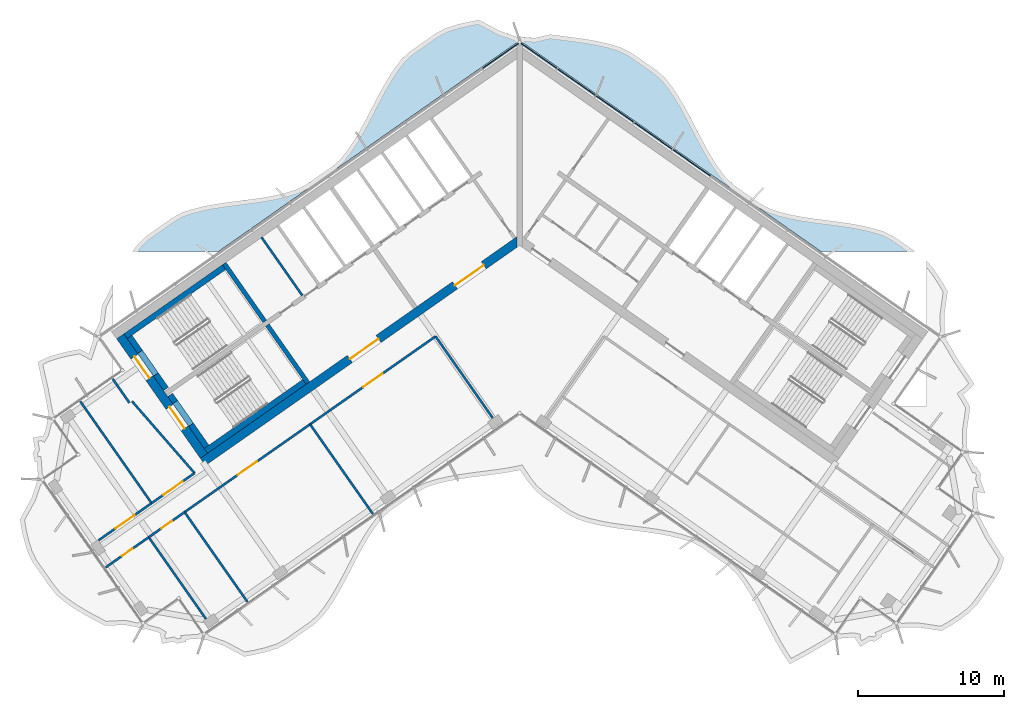
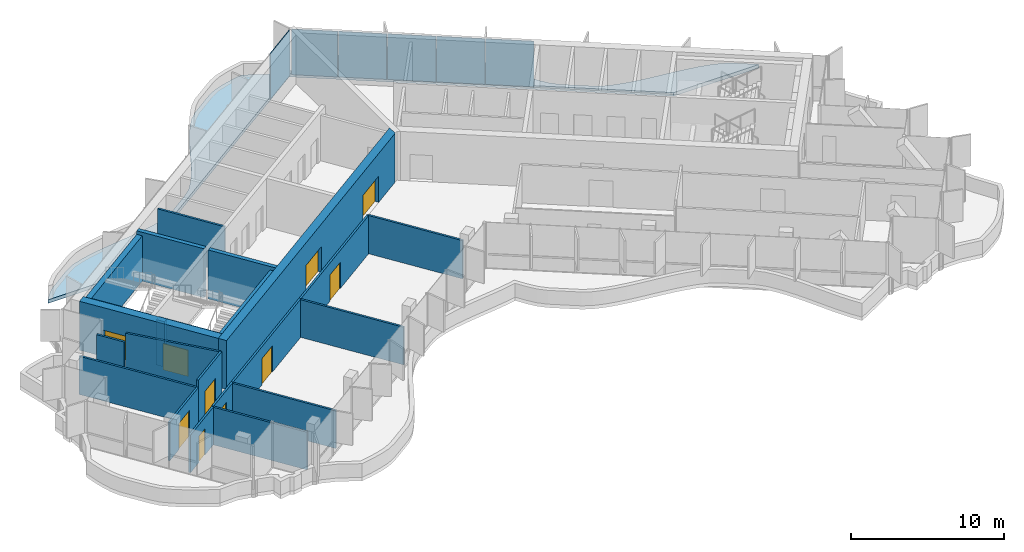
# One storey, part 9 of 18: 26 walls, 10 doors, 6 plates, 1 slab, 10 openings, 1 element without a shape of its own.
"""IFC4 building model written with IfcOpenShell, lengths in metres."""

import ifcopenshell
import ifcopenshell.guid

model = None  # the IFC model being written
_history = None  # IfcOwnerHistory: only IFC2X3 demands one
_inside = {}  # id of a spatial element -> (the spatial element, [elements in it])
_under = {}  # id of a project, library or spatial element -> (it, [spatial elements below it])
_declared = {}  # id of a project -> (the project, [libraries it declares])
_typed = {}  # id of a type object -> (the type object, [elements of that type])
_made_of = {}  # id of a material, layer set ... -> (it, [elements and type objects made of it])


def new_model(schema):
    """Start an empty IFC model of exactly this schema.

    Asked for "IFC4X3", IfcOpenShell would pick the latest addendum, in which some entities
    have other attributes; the version numbers below select the first issue.
    IFC2X3 requires an IfcOwnerHistory on every rooted entity: one is made here for all.
    """
    global model, _history
    if schema == "IFC4X3":
        model = ifcopenshell.file(schema_version=(4, 3, 0, 0))
    else:
        model = ifcopenshell.file(schema=schema)
    _inside.clear()
    _under.clear()
    _declared.clear()
    _typed.clear()
    _made_of.clear()
    _history = None
    if model.schema == "IFC2X3":
        org = make("IfcOrganization", Name="unknown")
        user = make(
            "IfcPersonAndOrganization",
            ThePerson=make("IfcPerson", FamilyName="unknown"),
            TheOrganization=org,
        )
        app = make(
            "IfcApplication",
            ApplicationDeveloper=org,
            Version="unknown",
            ApplicationFullName="unknown",
            ApplicationIdentifier="unknown",
        )
        _history = make(
            "IfcOwnerHistory",
            OwningUser=user,
            OwningApplication=app,
            ChangeAction="ADDED",
            CreationDate=0,
        )
    return model


def make(cls, **values):
    """One entity of the class cls with the attributes given. An attribute that is None is left unset."""
    return model.create_entity(
        cls, **{name: value for name, value in values.items() if value is not None}
    )


def rooted(cls, **values):
    """An entity with a GlobalId (a new one), such as an element, a storey or a relation."""
    return make(cls, GlobalId=ifcopenshell.guid.new(), OwnerHistory=_history, **values)


def si_unit(unit_type, name, prefix=None):
    """IfcSIUnit, for example si_unit("LENGTHUNIT", "METRE", prefix="MILLI")."""
    return make("IfcSIUnit", UnitType=unit_type, Prefix=prefix, Name=name)


def assignment(units):
    """IfcUnitAssignment: the units of a project."""
    return None if units is None else make("IfcUnitAssignment", Units=units)


def point(xyz):
    """IfcCartesianPoint."""
    return None if xyz is None else make("IfcCartesianPoint", Coordinates=xyz)


def direction(xyz):
    """IfcDirection."""
    return None if xyz is None else make("IfcDirection", DirectionRatios=xyz)


def frame(location, z_axis=None, x_axis=None):
    """IfcAxis2Placement3D, a coordinate frame: its origin and axes. An axis left out is left unset."""
    return make(
        "IfcAxis2Placement3D",
        Location=point(location),
        Axis=direction(z_axis),
        RefDirection=direction(x_axis),
    )


def frame_2d(location, x_axis=None):
    """IfcAxis2Placement2D, a coordinate frame in the plane: its origin and x axis."""
    return make(
        "IfcAxis2Placement2D", Location=point(location), RefDirection=direction(x_axis)
    )


def origin():
    """The frame at (0, 0, 0) with its axes left unset."""
    return frame((0.0, 0.0, 0.0))


def origin_2d():
    """The frame at (0, 0) in the plane with its x axis left unset."""
    return frame_2d((0.0, 0.0))


def place(relative_to, where):
    """IfcLocalPlacement: puts the frame where relative to a parent placement (None: the world)."""
    return make(
        "IfcLocalPlacement", PlacementRelTo=relative_to, RelativePlacement=where
    )


def context(
    kind, dimensions, precision=None, world=None, true_north=None, identifier=None
):
    """IfcGeometricRepresentationContext, for example the 3D "Model" context."""
    return make(
        "IfcGeometricRepresentationContext",
        ContextIdentifier=identifier,
        ContextType=kind,
        CoordinateSpaceDimension=dimensions,
        Precision=precision,
        WorldCoordinateSystem=world,
        TrueNorth=true_north,
    )


def subcontext(parent, identifier, kind, view, scale=None):
    """IfcGeometricRepresentationSubContext, for example "Body" below "Model"."""
    return make(
        "IfcGeometricRepresentationSubContext",
        ContextIdentifier=identifier,
        ContextType=kind,
        ParentContext=parent,
        TargetScale=scale,
        TargetView=view,
    )


def project(units=None, contexts=None):
    """IfcProject with its units and contexts."""
    return rooted(
        "IfcProject",
        Name="project",
        RepresentationContexts=contexts,
        UnitsInContext=assignment(units),
    )


def spatial(cls, under=None, at=None, **own):
    """A site, building, storey or space (cls), placed at a placement, below another one or the project."""
    s = rooted(cls, ObjectPlacement=at, **own)
    if under is not None:
        _under.setdefault(under.id(), (under, []))[1].append(s)
    return s


def polyline(points):
    """IfcPolyline through the points."""
    return make("IfcPolyline", Points=[point(p) for p in points])


def profile(cls, at=None, kind="AREA", **sizes):
    """A parametric profile (cls). Its sizes go by their IFC names, for example OverallWidth=200.0."""
    return make(cls, ProfileType=kind, Position=at, **sizes)


def rectangle(**sizes):
    """IfcRectangleProfileDef."""
    return profile("IfcRectangleProfileDef", **sizes)


def outline(outer, holes=None, kind="AREA"):
    """IfcArbitraryClosedProfileDef: a profile drawn as a closed curve; with holes, ...WithVoids."""
    if holes is None:
        return make("IfcArbitraryClosedProfileDef", ProfileType=kind, OuterCurve=outer)
    return make(
        "IfcArbitraryProfileDefWithVoids",
        ProfileType=kind,
        OuterCurve=outer,
        InnerCurves=holes,
    )


def extrude(swept, where, along, depth):
    """IfcExtrudedAreaSolid: the profile swept, set in the frame where, extruded along a direction by depth."""
    return make(
        "IfcExtrudedAreaSolid",
        SweptArea=swept,
        Position=where,
        ExtrudedDirection=direction(along),
        Depth=depth,
    )


def shape(context_of_items, identifier, shape_type, items):
    """IfcShapeRepresentation: the items that make up one representation, for example the "Body"."""
    return make(
        "IfcShapeRepresentation",
        ContextOfItems=context_of_items,
        RepresentationIdentifier=identifier,
        RepresentationType=shape_type,
        Items=items,
    )


def material(Name=None, Category=None):
    """IfcMaterial."""
    return make("IfcMaterial", Name=Name, Category=Category)


def layer(
    of_material, thickness, ventilated=None, Name=None, Category=None, Priority=None
):
    """IfcMaterialLayer: one layer of a wall or slab, of a material (None: an air gap)."""
    return make(
        "IfcMaterialLayer",
        Material=of_material,
        LayerThickness=thickness,
        IsVentilated=ventilated,
        Name=Name,
        Category=Category,
        Priority=Priority,
    )


def layer_set(layers, Name=None):
    """IfcMaterialLayerSet."""
    return make("IfcMaterialLayerSet", MaterialLayers=layers, LayerSetName=Name)


def made_of(thing, what):
    """Note that an element or type object is made of a material, layer set ...; save() writes the relation."""
    if what is not None:
        _made_of.setdefault(what.id(), (what, []))[1].append(thing)
    return thing


def type_object(cls, material=None, **own):
    """A type object (cls), such as IfcWallType, which elements share."""
    return made_of(rooted(cls, **own), material)


def element(
    cls,
    number,
    at=None,
    inside=None,
    cuts=None,
    type_object=None,
    material=None,
    context=None,
    identifier="Body",
    shape_type=None,
    held_by="IfcProductDefinitionShape",
    body=None,
    shapes=None,
    **own,
):
    """One element of the class cls, such as IfcWall. Its Tag is "e" and its number.

    at: its placement. inside: the storey or other place that contains it. cuts: it is an
    opening in that element (IfcRelVoidsElement). A single representation is given by context,
    identifier, shape_type and body (its items); several are given by shapes. held_by: the class
    of the entity that holds the representations. save() writes the other relations.
    """
    e = rooted(cls, Tag="e%d" % number, ObjectPlacement=at, **own)
    if body is not None:
        shapes = [shape(context, identifier, shape_type, body)]
    if shapes is not None:
        e.Representation = make(held_by, Representations=shapes)
    if inside is not None:
        _inside.setdefault(inside.id(), (inside, []))[1].append(e)
    if cuts is not None:
        rooted(
            "IfcRelVoidsElement", RelatingBuildingElement=cuts, RelatedOpeningElement=e
        )
    if type_object is not None:
        _typed.setdefault(type_object.id(), (type_object, []))[1].append(e)
    return made_of(e, material)


def fill(opening, filler):
    """IfcRelFillsElement: the door or window that sits in an opening."""
    return rooted(
        "IfcRelFillsElement",
        RelatingOpeningElement=opening,
        RelatedBuildingElement=filler,
    )


def aggregate(whole, parts):
    """IfcRelAggregates: a whole, such as a stair, and the parts it consists of."""
    return rooted("IfcRelAggregates", RelatingObject=whole, RelatedObjects=parts)


def save(model, path):
    """Write the relations noted so far, then the file.

    IfcRelAggregates (storeys below a building ...), IfcRelContainedInSpatialStructure (elements
    in a storey), IfcRelDefinesByType, IfcRelAssociatesMaterial and IfcRelDeclares: one each for
    every whole, place, type object, material and project.
    """
    for whole, parts in _under.values():
        aggregate(whole, parts)
    for where, things in _inside.values():
        rooted(
            "IfcRelContainedInSpatialStructure",
            RelatedElements=things,
            RelatingStructure=where,
        )
    for kind, things in _typed.values():
        rooted("IfcRelDefinesByType", RelatedObjects=things, RelatingType=kind)
    for what, things in _made_of.values():
        rooted("IfcRelAssociatesMaterial", RelatedObjects=things, RelatingMaterial=what)
    for by, libraries in _declared.values():
        rooted("IfcRelDeclares", RelatingContext=by, RelatedDefinitions=libraries)
    model.write(path)


model = new_model("IFC4")

# Units and contexts
model_context = context("Model", 3, precision=1e-05, world=origin(), true_north=direction((0.0, 1.0)))
body_context = subcontext(model_context, "Body", "Model", "MODEL_VIEW")
ifc_project = project(units=[si_unit("LENGTHUNIT", "METRE"), si_unit("AREAUNIT", "SQUARE_METRE"), si_unit("VOLUMEUNIT", "CUBIC_METRE"), si_unit("PLANEANGLEUNIT", "RADIAN"), si_unit("MASSUNIT", "GRAM", prefix="KILO")], contexts=[model_context])

# Site, building, storey
site_placement = place(None, origin())
site = spatial("IfcSite", under=ifc_project, at=site_placement, CompositionType="ELEMENT")
building_placement = place(site_placement, origin())
building = spatial("IfcBuilding", under=site, at=building_placement, Name="Tel Ilan Convention Tower", CompositionType="ELEMENT")
storey_placement = place(building_placement, frame((0.0, 0.0, 268.300048828125)))
storey = spatial("IfcBuildingStorey", under=building, at=storey_placement, Name="L63", CompositionType="ELEMENT", Elevation=268.300048828125)

# Curtain wall, plates
ifc_material_1 = material(Name="Aluminium, bronze anodised", Category="aluminium")
curtain_wall_type = type_object("IfcCurtainWallType", Name="CW2 STICK CURTAIN WALL, SPANDREL PANELS", PredefinedType="NOTDEFINED", material=ifc_material_1)
curtain_wall_placement = place(storey_placement, origin())
curtain_wall = element("IfcCurtainWall", 1, at=curtain_wall_placement, inside=storey, type_object=curtain_wall_type, Name="Curtain wall CW2-48.01", PredefinedType="NOTDEFINED")
ifc_material_2 = material(Name="Aluminium composite panel, bronze anodised", Category="aluminium")
ifc_layer_1 = layer(ifc_material_2, 0.06005859375)
ifc_layer_set_1 = layer_set([ifc_layer_1], Name="CW SPANDREL PANEL 60")
plate_type = type_object("IfcPlateType", Name="CW SPANDREL PANEL 60", PredefinedType="CURTAIN_PANEL", material=ifc_layer_set_1)
plate_1_placement = place(storey_placement, frame((11.789306640625, 4.44091796875, 0.0), z_axis=(0.0, 0.0, 1.0), x_axis=(-0.819152044289, 0.573576436351, 0.0)))
plate_1 = element("IfcPlate", 2, at=plate_1_placement, type_object=plate_type, Name="Spandrel panel", PredefinedType="CURTAIN_PANEL", context=body_context, shape_type="SweptSolid", body=[
    extrude(rectangle(XDim=3.15380859375, YDim=0.06005859375, at=origin_2d()), origin(), (0.0, 0.0, 1.0), 3.6201171875),
])
plate_2_placement = place(storey_placement, frame((9.15673828125, 6.284423828125, 0.0), z_axis=(0.0, 0.0, 1.0), x_axis=(-0.819152044289, 0.573576436351, 0.0)))
plate_2 = element("IfcPlate", 3, at=plate_2_placement, type_object=plate_type, Name="Spandrel panel", PredefinedType="CURTAIN_PANEL", context=body_context, shape_type="SweptSolid", body=[
    extrude(rectangle(XDim=3.15380859375, YDim=0.06005859375, at=origin_2d()), origin(), (0.0, 0.0, 1.0), 3.6201171875),
])
plate_3_placement = place(storey_placement, frame((6.524169921875, 8.127685546875, 0.0), z_axis=(0.0, 0.0, 1.0), x_axis=(-0.819152044289, 0.573576436351, 0.0)))
plate_3 = element("IfcPlate", 4, at=plate_3_placement, type_object=plate_type, Name="Spandrel panel", PredefinedType="CURTAIN_PANEL", context=body_context, shape_type="SweptSolid", body=[
    extrude(rectangle(XDim=3.15380859375, YDim=0.06005859375, at=origin_2d()), origin(), (0.0, 0.0, 1.0), 3.6201171875),
])
plate_4_placement = place(storey_placement, frame((3.8916015625, 9.97119140625, 0.0), z_axis=(0.0, 0.0, 1.0), x_axis=(-0.819152044289, 0.573576436351, 0.0)))
plate_4 = element("IfcPlate", 5, at=plate_4_placement, type_object=plate_type, Name="Spandrel panel", PredefinedType="CURTAIN_PANEL", context=body_context, shape_type="SweptSolid", body=[
    extrude(rectangle(XDim=3.15380859375, YDim=0.06005859375, at=origin_2d()), origin(), (0.0, 0.0, 1.0), 3.6201171875),
])
plate_5_placement = place(storey_placement, frame((1.303955078125, 11.782958984375, 0.0), z_axis=(0.0, 0.0, 1.0), x_axis=(-0.819152044289, 0.573576436351, 0.0)))
plate_5 = element("IfcPlate", 6, at=plate_5_placement, type_object=plate_type, Name="Spandrel panel", PredefinedType="CURTAIN_PANEL", context=body_context, shape_type="SweptSolid", body=[
    extrude(rectangle(XDim=3.0439453125, YDim=0.06005859375, at=origin_2d()), origin(), (0.0, 0.0, 1.0), 3.6201171875),
])
plate_6_placement = place(storey_placement, frame((-1.303955078125, 11.782958984375, 0.0), z_axis=(0.0, 0.0, 1.0), x_axis=(-0.819152044289, -0.573576436351, 0.0)))
plate_6 = element("IfcPlate", 7, at=plate_6_placement, type_object=plate_type, Name="Spandrel panel", PredefinedType="CURTAIN_PANEL", context=body_context, shape_type="SweptSolid", body=[
    extrude(rectangle(XDim=3.0439453125, YDim=0.06005859375, at=origin_2d()), origin(), (0.0, 0.0, 1.0), 3.6201171875),
])
aggregate(curtain_wall, [plate_1, plate_2, plate_3, plate_4, plate_5, plate_6])

# Slab
ifc_material_3 = material(Name="Concrete C40/50", Category="concrete")
ifc_layer_2 = layer(ifc_material_3, 0.280029296875)
ifc_layer_set_2 = layer_set([ifc_layer_2], Name="Edge Ledge Slab 280 mm C40/50")
slab_type = type_object("IfcSlabType", Name="Edge Ledge Slab 280 mm C40/50", PredefinedType="FLOOR", material=ifc_layer_set_2)
slab_placement = place(storey_placement, frame((0.0, 0.0, -0.280029296875)))
element("IfcSlab", 8, at=slab_placement, inside=storey, type_object=slab_type, Name="L63 edge ledge 2", PredefinedType="FLOOR", context=body_context, shape_type="SweptSolid", body=[
    extrude(outline(polyline([(-23.1982421875, 1.006591796875), (-22.4697265625, 1.250244140625), (-21.705322265625, 1.44287109375), (-20.91259765625, 1.594482421875), (-20.099365234375, 1.71728515625), (-19.275146484375, 1.824462890625), (-18.44970703125, 1.9296875), (-17.6328125, 2.047119140625), (-16.833984375, 2.18994140625), (-16.0615234375, 2.37109375), (-15.3232421875, 2.6005859375), (-14.651611328125, 2.92529296875), (-12.841552734375, 4.192626953125), (-12.284912109375, 4.681640625), (-11.809326171875, 5.28662109375), (-11.369140625, 5.94189453125), (-10.956787109375, 6.63720703125), (-10.564453125, 7.36083984375), (-10.182373046875, 8.09912109375), (-9.80078125, 8.83837890625), (-9.410400390625, 9.564697265625), (-9.001220703125, 10.264404296875), (-8.56494140625, 10.925537109375), (-8.094482421875, 11.53759765625), (-7.552001953125, 12.047119140625), (-5.7421875, 13.314208984375), (-5.0849609375, 13.66015625), (-4.3515625, 13.896484375), (-3.5830078125, 14.083251953125), (-2.785888671875, 14.228515625), (-1.357666015625, 13.472900390625), (-0.172119140625, 13.06396484375), (-0.168701171875, 13.05908203125), (-0.11474609375, 13.09521484375), (0.0, 13.1181640625), (0.11474609375, 13.09521484375), (0.168701171875, 13.05908203125), (0.172119140625, 13.06396484375), (1.02001953125, 12.99072265625), (2.08935546875, 13.234130859375), (2.913818359375, 13.12744140625), (3.739501953125, 13.0224609375), (4.55712890625, 12.90625), (5.357666015625, 12.765380859375), (6.132080078125, 12.587158203125), (6.872802734375, 12.361083984375), (7.552001953125, 12.047119140625), (9.36181640625, 10.77978515625), (9.925537109375, 10.300537109375), (10.403564453125, 9.69921875), (10.845947265625, 9.046875), (11.259521484375, 8.353515625), (11.653076171875, 7.631591796875), (12.035400390625, 6.893798828125), (12.416748046875, 6.154052734375), (12.806396484375, 5.426513671875), (13.214111328125, 4.724609375), (13.648193359375, 4.060791015625), (14.116455078125, 3.4453125), (14.651611328125, 2.92529296875), (16.46142578125, 1.657958984375), (17.111328125, 1.30224609375), (17.84228515625, 1.062255859375), (18.60888671875, 0.87255859375), (19.4033203125, 0.72314453125), (20.21728515625, 0.601806640625), (21.0419921875, 0.495361328125), (21.8671875, 0.3896484375), (22.68310546875, 0.27099609375), (23.480712890625, 0.1259765625), (24.2509765625, -0.057861328125), (24.987060546875, -0.290771484375), (25.6513671875, -0.626220703125), (27.087158203125, -1.631591796875), (20.63623046875, -1.631591796875), (0.0, 12.818115234375), (-20.63623046875, -1.631591796875), (-26.535888671875, -1.631591796875), (-26.1787109375, -1.156982421875), (-25.6513671875, -0.626220703125), (-23.84130859375, 0.64111328125), (-23.1982421875, 1.006591796875)])), origin(), (0.0, 0.0, 1.0), 0.280029296875),
])

# Walls
ifc_material_4 = material(Name="Gypsum Plasterboard on Steel Stud", Category="steel")
ifc_layer_3 = layer(ifc_material_4, 0.14990234375)
ifc_layer_set_3 = layer_set([ifc_layer_3], Name="Core Room Partition Wall 150 mm EI 60")
wall_type_1 = type_object("IfcWallType", Name="Core Room Partition Wall 150 mm EI 60", PredefinedType="PARTITIONING", material=ifc_layer_set_3)
wall_1_placement = place(storey_placement, frame((-14.909423828125, -4.64111328125, 0.0), z_axis=(0.0, 0.0, 1.0), x_axis=(-0.573560315113, 0.819163332265, 0.0)))
element("IfcWall", 9, at=wall_1_placement, inside=storey, type_object=wall_type_1, Name="L63 core wall bank-W2-split", PredefinedType="PARTITIONING", context=body_context, shape_type="SweptSolid", body=[
    extrude(rectangle(XDim=4.849853515625, YDim=0.14990234375, at=frame_2d((2.4248046875, 0.0))), origin(), (0.0, 0.0, 1.0), 3.619873046875),
])
ifc_material_5 = material(Name="Concrete C40/50", Category="concrete")
ifc_layer_4 = layer(ifc_material_5, 0.300048828125)
ifc_layer_set_4 = layer_set([ifc_layer_4], Name="Core Shear Wall 300 mm C40/50")
wall_type_2 = type_object("IfcWallType", Name="Core Shear Wall 300 mm C40/50", PredefinedType="SHEAR", material=ifc_layer_set_4)
wall_2_placement = place(storey_placement, frame((-14.515380859375, -10.652099609375, 0.0), z_axis=(0.0, 0.0, 1.0), x_axis=(-0.573560315113, 0.819163332265, 0.0)))
element("IfcWall", 10, at=wall_2_placement, inside=storey, type_object=wall_type_2, Name="L63 core wall W-cross2-1", PredefinedType="SHEAR", context=body_context, shape_type="SweptSolid", body=[
    extrude(outline(polyline([(4.85009765625, 0.14990234375), (0.0, 0.14990234375), (0.0, -0.150146484375), (4.85009765625, -0.14990234375), (4.85009765625, 0.14990234375)])), origin(), (0.0, 0.0, 1.0), 3.89990234375),
])
wall_3_placement = place(storey_placement, frame((-17.46923828125, -6.433349609375, 0.0), z_axis=(0.0, 0.0, 1.0), x_axis=(-0.573594092424, 0.81913968109, 0.0)))
element("IfcWall", 11, at=wall_3_placement, inside=storey, type_object=wall_type_2, Name="L63 core wall W-cross2-2", PredefinedType="SHEAR", context=body_context, shape_type="SweptSolid", body=[
    extrude(outline(polyline([(4.849853515625, -0.150146484375), (4.849853515625, 0.14990234375), (0.0, 0.14990234375), (0.0, -0.14990234375), (4.849853515625, -0.150146484375)])), origin(), (0.0, 0.0, 1.0), 3.89990234375),
])

# Wall, openings, doors
ifc_material_6 = material(Name="Concrete C40/50", Category="concrete")
ifc_layer_5 = layer(ifc_material_6, 0.60009765625)
ifc_layer_set_5 = layer_set([ifc_layer_5], Name="Core Shear Wall 600 mm C40/50")
wall_type_3 = type_object("IfcWallType", Name="Core Shear Wall 600 mm C40/50", PredefinedType="SHEAR", material=ifc_layer_set_5)
wall_4_placement = place(storey_placement, frame((-0.02783203125, -0.8740234375, 0.0), z_axis=(0.0, 0.0, 1.0), x_axis=(-0.819150035022, -0.573579305871, 0.0)))
wall_4 = element("IfcWall", 12, at=wall_4_placement, inside=storey, type_object=wall_type_3, Name="L63 core wall W-front", PredefinedType="SHEAR", context=body_context, shape_type="SweptSolid", body=[
    extrude(outline(polyline([(26.475830078125, 0.2998046875), (0.420166015625, 0.300048828125), (0.000244140625, -0.300048828125), (26.475830078125, -0.300048828125), (26.475830078125, 0.2998046875)])), origin(), (0.0, 0.0, 1.0), 3.89990234375),
])
opening_1_placement = place(wall_4_placement, frame((2.975830078125, 0.0, 0.0)))
opening_1 = element("IfcOpeningElement", 13, at=opening_1_placement, cuts=wall_4, Name="Opening CD4806", PredefinedType="OPENING", context=body_context, shape_type="SweptSolid", body=[
    extrude(rectangle(XDim=2.39990234375, YDim=2.10009765625, at=frame_2d((1.199951171875, 1.050048828125))), frame((0.0, 0.31005859375, 0.0), z_axis=(0.0, -1.0, 0.0), x_axis=(1.0, 0.0, 0.0)), (0.0, 0.0, 1.0), 0.6201171875),
])
opening_2_placement = place(wall_4_placement, frame((11.77587890625, 0.0, 0.0)))
opening_2 = element("IfcOpeningElement", 14, at=opening_2_placement, cuts=wall_4, Name="Opening CD4807", PredefinedType="OPENING", context=body_context, shape_type="SweptSolid", body=[
    extrude(rectangle(XDim=2.39990234375, YDim=2.10009765625, at=frame_2d((1.199951171875, 1.050048828125))), frame((0.0, 0.31005859375, 0.0), z_axis=(0.0, -1.0, 0.0), x_axis=(1.0, 0.0, 0.0)), (0.0, 0.0, 1.0), 0.6201171875),
])
ifc_material_7 = material(Name="Glazed Aluminium Door Leaf", Category="aluminium")
door_type_1 = type_object("IfcDoorType", Name="Lobby Opening Door 2400 x 2100 FD60S", OperationType="NOTDEFINED", PredefinedType="DOOR", material=ifc_material_7)
door_1_placement = place(opening_1_placement, origin())
door_1 = element("IfcDoor", 15, at=door_1_placement, inside=storey, type_object=door_type_1, Name="Lift Lobby HR1-HR4 opening", OperationType="DOUBLE_DOOR_SINGLE_SWING", OverallHeight=2.10009765625, OverallWidth=2.39990234375, PredefinedType="DOOR", context=body_context, shape_type="SweptSolid", body=[
    extrude(rectangle(XDim=2.39990234375, YDim=2.10009765625, at=frame_2d((1.199951171875, 1.050048828125))), frame((0.0, 0.02490234375, 0.0), z_axis=(0.0, -1.0, 0.0), x_axis=(1.0, 0.0, 0.0)), (0.0, 0.0, 1.0), 0.050048828125),
])
fill(opening_1, door_1)
door_2_placement = place(opening_2_placement, origin())
door_2 = element("IfcDoor", 16, at=door_2_placement, inside=storey, type_object=door_type_1, Name="Lift Lobby HR5-HR6 opening", OperationType="DOUBLE_DOOR_SINGLE_SWING", OverallHeight=2.10009765625, OverallWidth=2.39990234375, PredefinedType="DOOR", context=body_context, shape_type="SweptSolid", body=[
    extrude(rectangle(XDim=2.39990234375, YDim=2.10009765625, at=frame_2d((1.199951171875, 1.050048828125))), frame((0.0, 0.02490234375, 0.0), z_axis=(0.0, -1.0, 0.0), x_axis=(1.0, 0.0, 0.0)), (0.0, 0.0, 1.0), 0.050048828125),
])
fill(opening_2, door_2)

wall_5_placement = place(storey_placement, frame((-21.641845703125, -15.64208984375, 0.0), z_axis=(0.0, 0.0, 1.0), x_axis=(-0.573586866468, 0.819144740944, 0.0)))
wall_5 = element("IfcWall", 17, at=wall_5_placement, inside=storey, type_object=wall_type_3, Name="L63 core wall W-end", PredefinedType="SHEAR", context=body_context, shape_type="SweptSolid", body=[
    extrude(outline(polyline([(0.0, 0.300048828125), (0.0, -0.2998046875), (10.0, -0.300048828125), (10.0, 0.300048828125), (0.0, 0.300048828125)])), origin(), (0.0, 0.0, 1.0), 3.89990234375),
])
opening_3_placement = place(wall_5_placement, frame((6.5, 0.0, 0.0)))
opening_3 = element("IfcOpeningElement", 18, at=opening_3_placement, cuts=wall_5, Name="Opening SD4801", PredefinedType="OPENING", context=body_context, shape_type="SweptSolid", body=[
    extrude(rectangle(XDim=1.800048828125, YDim=2.10009765625, at=frame_2d((0.89990234375, 1.050048828125))), frame((0.0, 0.31005859375, 0.0), z_axis=(0.0, -1.0, 0.0), x_axis=(1.0, 0.0, 0.0)), (0.0, 0.0, 1.0), 0.6201171875),
])
opening_4_placement = place(wall_5_placement, frame((2.300048828125, 0.0, 0.0)))
opening_4 = element("IfcOpeningElement", 19, at=opening_4_placement, cuts=wall_5, Name="Opening SD4802", PredefinedType="OPENING", context=body_context, shape_type="SweptSolid", body=[
    extrude(rectangle(XDim=1.800048828125, YDim=2.10009765625, at=frame_2d((0.89990234375, 1.050048828125))), frame((0.0, 0.31005859375, 0.0), z_axis=(0.0, -1.0, 0.0), x_axis=(1.0, 0.0, 0.0)), (0.0, 0.0, 1.0), 0.6201171875),
])
ifc_material_8 = material(Name="Galvanised Steel Door Leaf", Category="steel")
door_type_2 = type_object("IfcDoorType", Name="Stair Fire Door 1800 x 2100 FD60S", OperationType="NOTDEFINED", PredefinedType="DOOR", material=ifc_material_8)
door_3_placement = place(opening_3_placement, origin())
door_3 = element("IfcDoor", 20, at=door_3_placement, inside=storey, type_object=door_type_2, Name="Stair S1 door", OperationType="DOUBLE_DOOR_SINGLE_SWING", OverallHeight=2.10009765625, OverallWidth=1.800048828125, PredefinedType="DOOR", context=body_context, shape_type="SweptSolid", body=[
    extrude(rectangle(XDim=1.800048828125, YDim=2.10009765625, at=frame_2d((0.89990234375, 1.050048828125))), frame((0.0, 0.02490234375, 0.0), z_axis=(0.0, -1.0, 0.0), x_axis=(1.0, 0.0, 0.0)), (0.0, 0.0, 1.0), 0.050048828125),
])
fill(opening_3, door_3)
door_4_placement = place(opening_4_placement, origin())
door_4 = element("IfcDoor", 21, at=door_4_placement, inside=storey, type_object=door_type_2, Name="Stair S2 door", OperationType="DOUBLE_DOOR_SINGLE_SWING", OverallHeight=2.10009765625, OverallWidth=1.800048828125, PredefinedType="DOOR", context=body_context, shape_type="SweptSolid", body=[
    extrude(rectangle(XDim=1.800048828125, YDim=2.10009765625, at=frame_2d((0.89990234375, 1.050048828125))), frame((0.0, 0.02490234375, 0.0), z_axis=(0.0, -1.0, 0.0), x_axis=(1.0, 0.0, 0.0)), (0.0, 0.0, 1.0), 0.050048828125),
])
fill(opening_4, door_4)

# Wall, opening, door
ifc_material_9 = material(Name="Plasterboard on Steel Studs", Category="steel")
ifc_layer_6 = layer(ifc_material_9, 0.14990234375)
ifc_layer_set_6 = layer_set([ifc_layer_6], Name="Fire-rated Partition 150 EI 60")
wall_type_4 = type_object("IfcWallType", Name="Fire-rated Partition 150 EI 60", PredefinedType="PARTITIONING", material=ifc_layer_set_6)
wall_6_placement = place(storey_placement, frame((-25.230712890625, -18.888427734375, 0.0), z_axis=(0.0, 0.0, 1.0), x_axis=(0.819129916206, 0.573608037231, 0.0)))
wall_6 = element("IfcWall", 22, at=wall_6_placement, inside=storey, type_object=wall_type_4, Name="Partition 005", PredefinedType="PARTITIONING", context=body_context, shape_type="SweptSolid", body=[
    extrude(rectangle(XDim=3.5986328125, YDim=0.14990234375, at=frame_2d((1.79931640625, 0.0))), origin(), (0.0, 0.0, 1.0), 3.619873046875),
])
opening_5_placement = place(wall_6_placement, frame((0.999267578125, 0.0, 0.0)))
opening_5 = element("IfcOpeningElement", 23, at=opening_5_placement, cuts=wall_6, Name="Opening L63-005", PredefinedType="OPENING", context=body_context, shape_type="SweptSolid", body=[
    extrude(rectangle(XDim=1.60009765625, YDim=2.10009765625, at=frame_2d((0.800048828125, 1.050048828125))), frame((0.0, 0.0849609375, 0.0), z_axis=(0.0, -1.0, 0.0), x_axis=(1.0, 0.0, 0.0)), (0.0, 0.0, 1.0), 0.169921875),
])
ifc_material_10 = material(Name="Timber Door Leaf in Steel Frame", Category="steel")
door_type_3 = type_object("IfcDoorType", Name="Tenant Suite Entrance Fire Door 1600x2100", OperationType="NOTDEFINED", PredefinedType="DOOR", material=ifc_material_10)
door_5_placement = place(opening_5_placement, origin())
door_5 = element("IfcDoor", 24, at=door_5_placement, inside=storey, type_object=door_type_3, Name="Door L63-005", OperationType="DOUBLE_DOOR_SINGLE_SWING", OverallHeight=2.10009765625, OverallWidth=1.60009765625, PredefinedType="DOOR", context=body_context, shape_type="SweptSolid", body=[
    extrude(rectangle(XDim=1.60009765625, YDim=2.10009765625, at=frame_2d((0.800048828125, 1.050048828125))), frame((0.0, 0.02490234375, 0.0), z_axis=(0.0, -1.0, 0.0), x_axis=(1.0, 0.0, 0.0)), (0.0, 0.0, 1.0), 0.050048828125),
])
fill(opening_5, door_5)

wall_7_placement = place(storey_placement, frame((-28.858154296875, -21.428466796875, 0.0), z_axis=(0.0, 0.0, 1.0), x_axis=(0.819154272612, 0.573573253963, 0.0)))
wall_7 = element("IfcWall", 25, at=wall_7_placement, inside=storey, type_object=wall_type_4, Name="Partition 006", PredefinedType="PARTITIONING", context=body_context, shape_type="SweptSolid", body=[
    extrude(rectangle(XDim=4.431884765625, YDim=0.14990234375, at=frame_2d((2.2158203125, 0.0))), origin(), (0.0, 0.0, 1.0), 3.050048828125),
])
opening_6_placement = place(wall_7_placement, frame((1.416015625, 0.0, 0.0)))
opening_6 = element("IfcOpeningElement", 26, at=opening_6_placement, cuts=wall_7, Name="Opening L63-006", PredefinedType="OPENING", context=body_context, shape_type="SweptSolid", body=[
    extrude(rectangle(XDim=1.60009765625, YDim=2.10009765625, at=frame_2d((0.800048828125, 1.050048828125))), frame((0.0, 0.0849609375, 0.0), z_axis=(0.0, -1.0, 0.0), x_axis=(1.0, 0.0, 0.0)), (0.0, 0.0, 1.0), 0.169921875),
])
door_6_placement = place(opening_6_placement, origin())
door_6 = element("IfcDoor", 27, at=door_6_placement, inside=storey, type_object=door_type_3, Name="Door L63-006", OperationType="DOUBLE_DOOR_SINGLE_SWING", OverallHeight=2.10009765625, OverallWidth=1.60009765625, PredefinedType="DOOR", context=body_context, shape_type="SweptSolid", body=[
    extrude(rectangle(XDim=1.60009765625, YDim=2.10009765625, at=frame_2d((0.800048828125, 1.050048828125))), frame((0.0, 0.02490234375, 0.0), z_axis=(0.0, -1.0, 0.0), x_axis=(1.0, 0.0, 0.0)), (0.0, 0.0, 1.0), 0.050048828125),
])
fill(opening_6, door_6)

wall_8_placement = place(storey_placement, frame((-5.766357421875, -7.455810546875, 0.0), z_axis=(0.0, 0.0, 1.0), x_axis=(-0.819154371039, -0.573573113393, 0.0)))
wall_8 = element("IfcWall", 28, at=wall_8_placement, inside=storey, type_object=wall_type_4, Name="Partition 007", PredefinedType="PARTITIONING", context=body_context, shape_type="SweptSolid", body=[
    extrude(rectangle(XDim=10.501953125, YDim=0.14990234375, at=frame_2d((5.2509765625, 0.0))), origin(), (0.0, 0.0, 1.0), 3.050048828125),
])
opening_7_placement = place(wall_8_placement, frame((4.450927734375, 0.0, 0.0)))
opening_7 = element("IfcOpeningElement", 29, at=opening_7_placement, cuts=wall_8, Name="Opening L63-001", PredefinedType="OPENING", context=body_context, shape_type="SweptSolid", body=[
    extrude(rectangle(XDim=1.60009765625, YDim=2.10009765625, at=frame_2d((0.800048828125, 1.050048828125))), frame((0.0, 0.0849609375, 0.0), z_axis=(0.0, -1.0, 0.0), x_axis=(1.0, 0.0, 0.0)), (0.0, 0.0, 1.0), 0.169921875),
])
door_7_placement = place(opening_7_placement, origin())
door_7 = element("IfcDoor", 30, at=door_7_placement, inside=storey, type_object=door_type_3, Name="Door L63-001", OperationType="DOUBLE_DOOR_SINGLE_SWING", OverallHeight=2.10009765625, OverallWidth=1.60009765625, PredefinedType="DOOR", context=body_context, shape_type="SweptSolid", body=[
    extrude(rectangle(XDim=1.60009765625, YDim=2.10009765625, at=frame_2d((0.800048828125, 1.050048828125))), frame((0.0, 0.02490234375, 0.0), z_axis=(0.0, -1.0, 0.0), x_axis=(1.0, 0.0, 0.0)), (0.0, 0.0, 1.0), 0.050048828125),
])
fill(opening_7, door_7)

wall_9_placement = place(storey_placement, frame((-14.36572265625, -13.477294921875, 0.0), z_axis=(0.0, 0.0, 1.0), x_axis=(-0.819164214721, -0.57355905478, 0.0)))
wall_9 = element("IfcWall", 31, at=wall_9_placement, inside=storey, type_object=wall_type_4, Name="Partition 008", PredefinedType="PARTITIONING", context=body_context, shape_type="SweptSolid", body=[
    extrude(rectangle(XDim=10.50390625, YDim=0.14990234375, at=frame_2d((5.251953125, 0.0))), origin(), (0.0, 0.0, 1.0), 3.050048828125),
])
opening_8_placement = place(wall_9_placement, frame((4.451904296875, 0.0, 0.0)))
opening_8 = element("IfcOpeningElement", 32, at=opening_8_placement, cuts=wall_9, Name="Opening L63-002", PredefinedType="OPENING", context=body_context, shape_type="SweptSolid", body=[
    extrude(rectangle(XDim=1.60009765625, YDim=2.10009765625, at=frame_2d((0.800048828125, 1.050048828125))), frame((0.0, 0.0849609375, 0.0), z_axis=(0.0, -1.0, 0.0), x_axis=(1.0, 0.0, 0.0)), (0.0, 0.0, 1.0), 0.169921875),
])
door_8_placement = place(opening_8_placement, origin())
door_8 = element("IfcDoor", 33, at=door_8_placement, inside=storey, type_object=door_type_3, Name="Door L63-002", OperationType="DOUBLE_DOOR_SINGLE_SWING", OverallHeight=2.10009765625, OverallWidth=1.60009765625, PredefinedType="DOOR", context=body_context, shape_type="SweptSolid", body=[
    extrude(rectangle(XDim=1.60009765625, YDim=2.10009765625, at=frame_2d((0.800048828125, 1.050048828125))), frame((0.0, 0.02490234375, 0.0), z_axis=(0.0, -1.0, 0.0), x_axis=(1.0, 0.0, 0.0)), (0.0, 0.0, 1.0), 0.050048828125),
])
fill(opening_8, door_8)

wall_10_placement = place(storey_placement, frame((-22.966796875, -19.499755859375, 0.0), z_axis=(0.0, 0.0, 1.0), x_axis=(-0.819155556475, -0.573571420397, 0.0)))
wall_10 = element("IfcWall", 34, at=wall_10_placement, inside=storey, type_object=wall_type_4, Name="Partition 009", PredefinedType="PARTITIONING", context=body_context, shape_type="SweptSolid", body=[
    extrude(rectangle(XDim=3.004150390625, YDim=0.14990234375, at=frame_2d((1.501953125, 0.0))), origin(), (0.0, 0.0, 1.0), 3.050048828125),
])
opening_9_placement = place(wall_10_placement, frame((1.052001953125, 0.0, 0.0)))
opening_9 = element("IfcOpeningElement", 35, at=opening_9_placement, cuts=wall_10, Name="Opening L63-003", PredefinedType="OPENING", context=body_context, shape_type="SweptSolid", body=[
    extrude(rectangle(XDim=0.89990234375, YDim=2.10009765625, at=frame_2d((0.449951171875, 1.050048828125))), frame((0.0, 0.0849609375, 0.0), z_axis=(0.0, -1.0, 0.0), x_axis=(1.0, 0.0, 0.0)), (0.0, 0.0, 1.0), 0.169921875),
])
ifc_material_11 = material(Name="Timber Door Leaf in Steel Frame", Category="steel")
door_type_4 = type_object("IfcDoorType", Name="Room Fire Door 900x2100", OperationType="NOTDEFINED", PredefinedType="DOOR", material=ifc_material_11)
door_9_placement = place(opening_9_placement, origin())
door_9 = element("IfcDoor", 36, at=door_9_placement, inside=storey, type_object=door_type_4, Name="Door L63-003", OperationType="SINGLE_SWING_RIGHT", OverallHeight=2.10009765625, OverallWidth=0.89990234375, PredefinedType="DOOR", context=body_context, shape_type="SweptSolid", body=[
    extrude(rectangle(XDim=0.89990234375, YDim=2.10009765625, at=frame_2d((0.449951171875, 1.050048828125))), frame((0.0, 0.02490234375, 0.0), z_axis=(0.0, -1.0, 0.0), x_axis=(1.0, 0.0, 0.0)), (0.0, 0.0, 1.0), 0.050048828125),
])
fill(opening_9, door_9)

wall_11_placement = place(storey_placement, frame((-25.42431640625, -21.220458984375, 0.0), z_axis=(0.0, 0.0, 1.0), x_axis=(-0.819142755392, -0.573589702042, 0.0)))
wall_11 = element("IfcWall", 37, at=wall_11_placement, inside=storey, type_object=wall_type_4, Name="Partition 010", PredefinedType="PARTITIONING", context=body_context, shape_type="SweptSolid", body=[
    extrude(rectangle(XDim=3.60205078125, YDim=0.14990234375, at=frame_2d((1.801025390625, 0.0))), origin(), (0.0, 0.0, 1.0), 3.0),
])
opening_10_placement = place(wall_11_placement, frame((1.35107421875, 0.0, 0.0)))
opening_10 = element("IfcOpeningElement", 38, at=opening_10_placement, cuts=wall_11, Name="Opening L63-004", PredefinedType="OPENING", context=body_context, shape_type="SweptSolid", body=[
    extrude(rectangle(XDim=0.89990234375, YDim=2.10009765625, at=frame_2d((0.449951171875, 1.050048828125))), frame((0.0, 0.0849609375, 0.0), z_axis=(0.0, -1.0, 0.0), x_axis=(1.0, 0.0, 0.0)), (0.0, 0.0, 1.0), 0.169921875),
])
door_10_placement = place(opening_10_placement, origin())
door_10 = element("IfcDoor", 39, at=door_10_placement, inside=storey, type_object=door_type_4, Name="Door L63-004", OperationType="SINGLE_SWING_RIGHT", OverallHeight=2.10009765625, OverallWidth=0.89990234375, PredefinedType="DOOR", context=body_context, shape_type="SweptSolid", body=[
    extrude(rectangle(XDim=0.89990234375, YDim=2.10009765625, at=frame_2d((0.449951171875, 1.050048828125))), frame((0.0, 0.02490234375, 0.0), z_axis=(0.0, -1.0, 0.0), x_axis=(1.0, 0.0, 0.0)), (0.0, 0.0, 1.0), 0.050048828125),
])
fill(opening_10, door_10)

# Walls
wall_12_placement = place(storey_placement, frame((-1.848876953125, -13.050537109375, 0.0), z_axis=(0.0, 0.0, 1.0), x_axis=(-0.57357985571, 0.819149650018, 0.0)))
element("IfcWall", 40, at=wall_12_placement, inside=storey, type_object=wall_type_4, Name="Partition 020", PredefinedType="PARTITIONING", context=body_context, shape_type="SweptSolid", body=[
    extrude(rectangle(XDim=6.83203125, YDim=0.14990234375, at=frame_2d((3.416015625, 0.0))), origin(), (0.0, 0.0, 1.0), 3.050048828125),
])
wall_13_placement = place(storey_placement, frame((-26.74609375, -12.013671875, 0.0), z_axis=(0.0, 0.0, 1.0), x_axis=(-0.573568836472, 0.819157365729, 0.0)))
element("IfcWall", 41, at=wall_13_placement, inside=storey, type_object=wall_type_4, Name="Partition 021", PredefinedType="PARTITIONING", context=body_context, shape_type="SweptSolid", body=[
    extrude(rectangle(XDim=2.000244140625, YDim=0.14990234375, at=frame_2d((1.0, 0.0))), origin(), (0.0, 0.0, 1.0), 3.050048828125),
])
wall_14_placement = place(storey_placement, frame((-22.28369140625, -16.826416015625, 0.0), z_axis=(0.0, 0.0, 1.0), x_axis=(-0.656758142177, 0.754101281449, 0.0)))
element("IfcWall", 42, at=wall_14_placement, inside=storey, type_object=wall_type_4, Name="Partition 022", PredefinedType="PARTITIONING", context=body_context, shape_type="SweptSolid", body=[
    extrude(rectangle(XDim=6.53857421875, YDim=0.14990234375, at=frame_2d((3.269287109375, 0.0))), origin(), (0.0, 0.0, 1.0), 3.619873046875),
])
wall_15_placement = place(storey_placement, frame((-25.229736328125, -18.88671875, 0.0), z_axis=(0.0, 0.0, 1.0), x_axis=(-0.573572219642, 0.819154996844, 0.0)))
element("IfcWall", 43, at=wall_15_placement, inside=storey, type_object=wall_type_4, Name="Partition 023", PredefinedType="PARTITIONING", context=body_context, shape_type="SweptSolid", body=[
    extrude(rectangle(XDim=8.499755859375, YDim=0.14990234375, at=frame_2d((4.25, 0.0))), origin(), (0.0, 0.0, 1.0), 3.050048828125),
])
for number, where, z_axis, x_axis, name in (
    (44, (-10.065673828125, -19.6220703125, 0.0), (0.0, 0.0, 1.0), (-0.573575945067, 0.81915238829, 0.0), "Partition 024"),
    (45, (-18.666748046875, -25.64453125, 0.0), (0.0, 0.0, 1.0), (-0.573575945067, 0.81915238829, 0.0), "Partition 025"),
):
    element("IfcWall", number, at=place(storey_placement, frame(where, z_axis=z_axis, x_axis=x_axis)), inside=storey, type_object=wall_type_4, Name=name, PredefinedType="PARTITIONING", context=body_context, shape_type="SweptSolid", body=[
        extrude(rectangle(XDim=7.5, YDim=0.14990234375, at=frame_2d((3.75, 0.0))), origin(), (0.0, 0.0, 1.0), 3.0),
    ])
wall_16_placement = place(storey_placement, frame((-21.508544921875, -26.81640625, 0.0), z_axis=(0.0, 0.0, 1.0), x_axis=(-0.573577493031, 0.819151304393, 0.0)))
element("IfcWall", 46, at=wall_16_placement, inside=storey, type_object=wall_type_4, Name="Partition 026", PredefinedType="PARTITIONING", context=body_context, shape_type="SweptSolid", body=[
    extrude(rectangle(XDim=6.829833984375, YDim=0.14990234375, at=frame_2d((3.4150390625, 0.0))), origin(), (0.0, 0.0, 1.0), 3.0),
])
ifc_material_12 = material(Name="Concrete C30/37", Category="concrete")
ifc_layer_7 = layer(ifc_material_12, 0.39990234375)
ifc_layer_set_7 = layer_set([ifc_layer_7], Name="Stair and Shaft Lining Wall 400 mm C30/37")
wall_type_5 = type_object("IfcWallType", Name="Stair and Shaft Lining Wall 400 mm C30/37", PredefinedType="SOLIDWALL", material=ifc_layer_set_7)
wall_17_placement = place(storey_placement, frame((-20.25927734375, -2.71044921875, 0.0), z_axis=(0.0, 0.0, 1.0), x_axis=(-0.81914849389, -0.573581506813, 0.0)))
element("IfcWall", 47, at=wall_17_placement, inside=storey, type_object=wall_type_5, Name="L63 core wall lining-S1-t1", PredefinedType="SOLIDWALL", context=body_context, shape_type="SweptSolid", body=[
    extrude(rectangle(XDim=8.249755859375, YDim=0.39990234375, at=frame_2d((4.125, 0.0))), origin(), (0.0, 0.0, 1.0), 3.619873046875),
])
wall_18_placement = place(storey_placement, frame((-24.24365234375, -11.0546875, 0.0), z_axis=(0.0, 0.0, 1.0), x_axis=(-0.573571582932, 0.819155442668, 0.0)))
element("IfcWall", 48, at=wall_18_placement, inside=storey, type_object=wall_type_5, Name="L63 core wall lining-S1-u1-0", PredefinedType="SOLIDWALL", context=body_context, shape_type="SweptSolid", body=[
    extrude(rectangle(XDim=1.199951171875, YDim=0.39990234375, at=frame_2d((0.60009765625, 0.0))), origin(), (0.0, 0.0, 1.0), 3.619873046875),
])
wall_19_placement = place(storey_placement, frame((-26.021728515625, -8.515380859375, 0.0), z_axis=(0.0, 0.0, 1.0), x_axis=(-0.573619628835, 0.819121798889, 0.0)))
element("IfcWall", 49, at=wall_19_placement, inside=storey, type_object=wall_type_5, Name="L63 core wall lining-S1-u1-1", PredefinedType="SOLIDWALL", context=body_context, shape_type="SweptSolid", body=[
    extrude(rectangle(XDim=1.25, YDim=0.39990234375, at=frame_2d((0.625, 0.0))), origin(), (0.0, 0.0, 1.0), 3.619873046875),
])
wall_20_placement = place(storey_placement, frame((-24.931884765625, -10.07177734375, 2.14990234375), z_axis=(0.0, 0.0, 1.0), x_axis=(-0.573591692345, 0.819141361715, 0.0)))
element("IfcWall", 50, at=wall_20_placement, inside=storey, type_object=wall_type_5, Name="L63 core wall lining-S1-u1-lintel", PredefinedType="SOLIDWALL", context=body_context, shape_type="SweptSolid", body=[
    extrude(rectangle(XDim=1.900146484375, YDim=0.39990234375, at=frame_2d((0.9501953125, 0.0))), origin(), (0.0, 0.0, 1.0), 1.469970703125),
])
wall_21_placement = place(storey_placement, frame((-14.7529296875, -10.57421875, 0.0), z_axis=(0.0, 0.0, 1.0), x_axis=(-0.819158229677, -0.573567602601, 0.0)))
element("IfcWall", 51, at=wall_21_placement, inside=storey, type_object=wall_type_5, Name="L63 core wall lining-S2-t0", PredefinedType="SOLIDWALL", context=body_context, shape_type="SweptSolid", body=[
    extrude(rectangle(XDim=8.25, YDim=0.39990234375, at=frame_2d((4.125, 0.0))), origin(), (0.0, 0.0, 1.0), 3.619873046875),
])
wall_22_placement = place(storey_placement, frame((-21.4619140625, -15.027587890625, 0.0), z_axis=(0.0, 0.0, 1.0), x_axis=(-0.573559770908, 0.819163713305, 0.0)))
element("IfcWall", 52, at=wall_22_placement, inside=storey, type_object=wall_type_5, Name="L63 core wall lining-S2-u1-0", PredefinedType="SOLIDWALL", context=body_context, shape_type="SweptSolid", body=[
    extrude(rectangle(XDim=1.849853515625, YDim=0.39990234375, at=frame_2d((0.9248046875, 0.0))), origin(), (0.0, 0.0, 1.0), 3.619873046875),
])
wall_23_placement = place(storey_placement, frame((-23.61279296875, -11.955810546875, 0.0), z_axis=(0.0, 0.0, 1.0), x_axis=(-0.573435029941, 0.819251039936, 0.0)))
element("IfcWall", 53, at=wall_23_placement, inside=storey, type_object=wall_type_5, Name="L63 core wall lining-S2-u1-1", PredefinedType="SOLIDWALL", context=body_context, shape_type="SweptSolid", body=[
    extrude(rectangle(XDim=0.599853515625, YDim=0.39990234375, at=frame_2d((0.2998046875, 0.0))), origin(), (0.0, 0.0, 1.0), 3.619873046875),
])
wall_24_placement = place(storey_placement, frame((-22.52294921875, -13.51220703125, 2.14990234375), z_axis=(0.0, 0.0, 1.0), x_axis=(-0.573591692345, 0.819141361715, 0.0)))
element("IfcWall", 54, at=wall_24_placement, inside=storey, type_object=wall_type_5, Name="L63 core wall lining-S2-u1-lintel", PredefinedType="SOLIDWALL", context=body_context, shape_type="SweptSolid", body=[
    extrude(rectangle(XDim=1.900146484375, YDim=0.39990234375, at=frame_2d((0.9501953125, 0.0))), origin(), (0.0, 0.0, 1.0), 1.469970703125),
])

save(model, "model.ifc")
